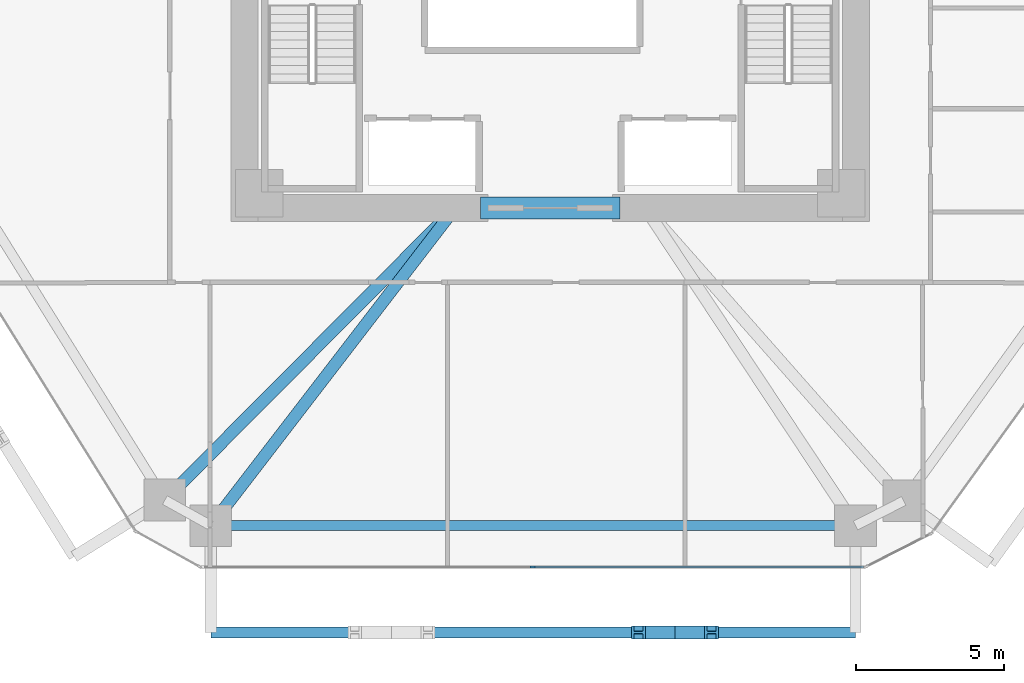
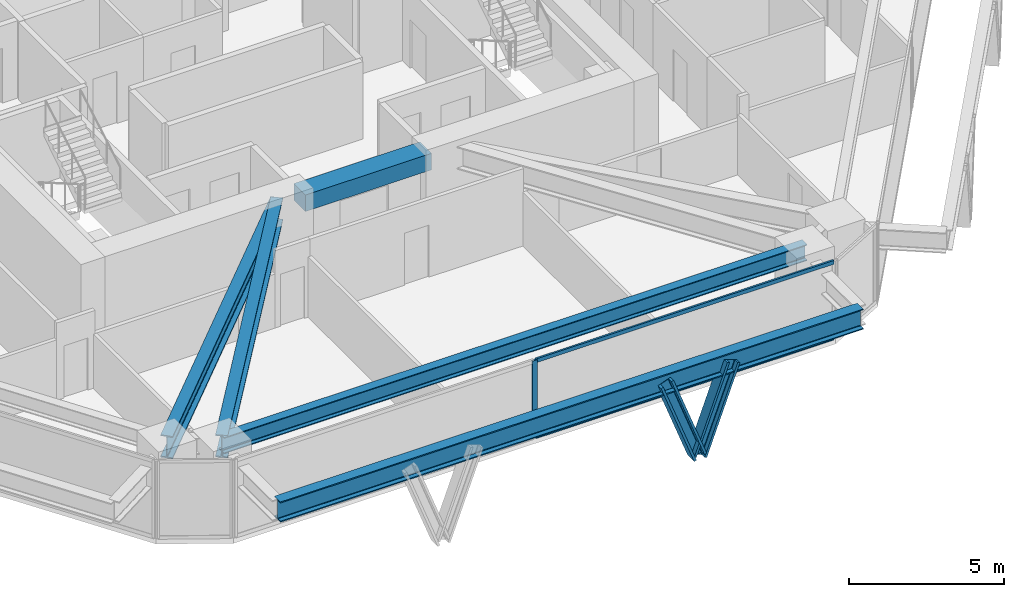
# One storey, part 3 of 15: 5 beams, 5 members, 1 element without a shape of its own.
"""IFC4 building model written with IfcOpenShell, lengths in metres."""

from ifc_helpers import new_model, si_unit, direction, frame, origin, origin_2d, place, context, subcontext, project, spatial, rectangle, i_section, extrude, source, transform, mapped, material, layer, layer_set, material_profile, profile_set, type_object, type_shapes, element, aggregate, save


model = new_model("IFC4")

# Units and contexts
model_context = context("Model", 3, precision=1e-05, world=origin(), true_north=direction((0.0, 1.0)))
body_context = subcontext(model_context, "Body", "Model", "MODEL_VIEW")
ifc_project = project(units=[si_unit("LENGTHUNIT", "METRE"), si_unit("AREAUNIT", "SQUARE_METRE"), si_unit("VOLUMEUNIT", "CUBIC_METRE"), si_unit("PLANEANGLEUNIT", "RADIAN"), si_unit("MASSUNIT", "GRAM", prefix="KILO")], contexts=[model_context])

# Site, building, storey
site_placement = place(None, origin())
site = spatial("IfcSite", under=ifc_project, at=site_placement, CompositionType="ELEMENT")
building_placement = place(site_placement, origin())
building = spatial("IfcBuilding", under=site, at=building_placement, Name="Durnholm Broadcast Tower", CompositionType="ELEMENT")
storey_placement = place(building_placement, frame((0.0, 0.0, 62.10009765625)))
storey = spatial("IfcBuildingStorey", under=building, at=storey_placement, Name="L15", CompositionType="ELEMENT", Elevation=62.10009765625)

# Beams
ifc_material_1 = material(Name="Concrete C70/85", Category="concrete")
ifc_material_profile_1 = material_profile(ifc_material_1, rectangle(XDim=0.75, YDim=0.64990234375, at=origin_2d()), Name="RC750X650")
ifc_profile_set_1 = profile_set([ifc_material_profile_1], Name="Concrete C70/85")
beam_type_1 = type_object("IfcBeamType", Name="BM-CB-RC650", PredefinedType="LINTEL", material=ifc_profile_set_1)
shared_shape_1 = source(origin(), body_context, "Body", "SweptSolid", [
    extrude(rectangle(XDim=0.75, YDim=0.64990234375, at=origin_2d()), origin(), (0.0, 0.0, 1.0), 4.7001953125),
])
type_shapes(beam_type_1, [shared_shape_1])
beam_1_placement = place(storey_placement, frame((-2.35009765625, -8.300048828125, 2.72998046875), z_axis=(1.0, 0.0, 0.0), x_axis=(0.0, 1.0, 0.0)))
element("IfcBeam", 1, at=beam_1_placement, inside=storey, type_object=beam_type_1, Name="L15 south core coupling lintel beam CB-S", PredefinedType="LINTEL", context=body_context, shape_type="MappedRepresentation", body=[
    mapped(shared_shape_1, transform((0.0, 0.0, 0.0), x_axis=(1.0, 0.0, 0.0), y_axis=(0.0, 1.0, 0.0), z_axis=(0.0, 0.0, 1.0), scale=1.0)),
])
ifc_material_2 = material(Name="Steel ASTM A992 Grade 50", Category="steel")
ifc_material_profile_2 = material_profile(ifc_material_2, i_section(OverallWidth=0.3291015625, OverallDepth=0.635009765625, WebThickness=0.017822265625, FlangeThickness=0.031005859375, FilletRadius=0.02783203125, at=origin_2d()), Name="W24X162")
ifc_profile_set_2 = profile_set([ifc_material_profile_2], Name="Steel ASTM A992 Grade 50")
beam_type_2 = type_object("IfcBeamType", Name="STL-SP-W24X162", PredefinedType="SPANDREL", material=ifc_profile_set_2)
shared_shape_2 = source(origin(), body_context, "Body", "SweptSolid", [
    extrude(i_section(OverallWidth=0.3291015625, OverallDepth=0.635009765625, WebThickness=0.017822265625, FlangeThickness=0.031005859375, FilletRadius=0.02783203125, at=origin_2d()), origin(), (0.0, 0.0, 1.0), 21.7138671875),
])
type_shapes(beam_type_2, [shared_shape_2])
beam_2_placement = place(storey_placement, frame((10.28271484375, -19.0, 2.727294921875), z_axis=(-1.0, 0.0, 0.0), x_axis=(0.0, -1.0, 0.0)))
element("IfcBeam", 2, at=beam_2_placement, inside=storey, type_object=beam_type_2, Name="L15 perimeter spandrel girder 11", PredefinedType="SPANDREL", context=body_context, shape_type="MappedRepresentation", body=[
    mapped(shared_shape_2, transform((0.0, 0.0, 0.0), x_axis=(1.0, 0.0, 0.0), y_axis=(0.0, 1.0, 0.0), z_axis=(0.0, 0.0, 1.0), scale=1.0)),
])
ifc_material_profile_3 = material_profile(ifc_material_2, i_section(OverallWidth=0.404052734375, OverallDepth=0.885009765625, WebThickness=0.0244140625, FlangeThickness=0.0439453125, FilletRadius=0.03564453125, at=origin_2d()), Name="W33X291")
ifc_profile_set_3 = profile_set([ifc_material_profile_3], Name="Steel ASTM A992 Grade 50")
beam_type_3 = type_object("IfcBeamType", Name="STL-GR-W33X291", PredefinedType="USERDEFINED", material=ifc_profile_set_3)
shared_shape_3 = source(origin(), body_context, "Body", "SweptSolid", [
    extrude(i_section(OverallWidth=0.404052734375, OverallDepth=0.885009765625, WebThickness=0.0244140625, FlangeThickness=0.0439453125, FilletRadius=0.03564453125, at=origin_2d()), origin(), (0.0, 0.0, 1.0), 13.874267578125),
])
beam_3_placement = place(storey_placement, frame((-3.199951171875, -8.300048828125, 2.6025390625), z_axis=(-0.705097917174, -0.709109954237, 0.0), x_axis=(0.709109954237, -0.705097917174, 0.0)))
element("IfcBeam", 3, at=beam_3_placement, inside=storey, type_object=beam_type_3, Name="L15 radial primary floor girder 01", ObjectType="GIRDER", PredefinedType="USERDEFINED", context=body_context, shape_type="MappedRepresentation", body=[
    mapped(shared_shape_3, transform((0.0, 0.0, 0.0), x_axis=(1.0, 0.0, 0.0), y_axis=(0.0, 1.0, 0.0), z_axis=(0.0, 0.0, 1.0), scale=1.0)),
])
shared_shape_4 = source(origin(), body_context, "Body", "SweptSolid", [
    extrude(i_section(OverallWidth=0.404052734375, OverallDepth=0.885009765625, WebThickness=0.0244140625, FlangeThickness=0.0439453125, FilletRadius=0.03564453125, at=origin_2d()), origin(), (0.0, 0.0, 1.0), 13.499755859375),
])
type_shapes(beam_type_3, [shared_shape_3, shared_shape_4])
beam_4_placement = place(storey_placement, frame((-3.199951171875, -8.300048828125, 2.6025390625), z_axis=(-0.609732610412, -0.79260718127, 0.0), x_axis=(0.79260718127, -0.609732610412, 0.0)))
element("IfcBeam", 4, at=beam_4_placement, inside=storey, type_object=beam_type_3, Name="L15 radial primary floor girder 12", ObjectType="GIRDER", PredefinedType="USERDEFINED", context=body_context, shape_type="MappedRepresentation", body=[
    mapped(shared_shape_4, transform((0.0, 0.0, 0.0), x_axis=(1.0, 0.0, 0.0), y_axis=(0.0, 1.0, 0.0), z_axis=(0.0, 0.0, 1.0), scale=1.0)),
])
ifc_material_profile_4 = material_profile(ifc_material_2, i_section(OverallWidth=0.385009765625, OverallDepth=0.802978515625, WebThickness=0.023681640625, FlangeThickness=0.0419921875, FilletRadius=0.032958984375, at=origin_2d()), Name="W30X261")
ifc_profile_set_4 = profile_set([ifc_material_profile_4], Name="Steel ASTM A992 Grade 50")
beam_type_4 = type_object("IfcBeamType", Name="BM-EXO-TIE", PredefinedType="USERDEFINED", material=ifc_profile_set_4)
shared_shape_5 = source(origin(), body_context, "Body", "SweptSolid", [
    extrude(i_section(OverallWidth=0.385009765625, OverallDepth=0.802978515625, WebThickness=0.023681640625, FlangeThickness=0.0419921875, FilletRadius=0.032958984375, at=origin_2d()), origin(), (0.0, 0.0, 1.0), 21.7138671875),
])
type_shapes(beam_type_4, [shared_shape_5])
beam_5_placement = place(storey_placement, frame((-11.43115234375, -22.60009765625, 2.30859375), z_axis=(1.0, 0.0, 0.0), x_axis=(0.0, 1.0, 0.0)))
element("IfcBeam", 5, at=beam_5_placement, inside=storey, type_object=beam_type_4, Name="L15 exoskeleton collector spandrel F1", PredefinedType="SPANDREL", context=body_context, shape_type="MappedRepresentation", body=[
    mapped(shared_shape_5, transform((0.0, 0.0, 0.0), x_axis=(1.0, 0.0, 0.0), y_axis=(0.0, 1.0, 0.0), z_axis=(0.0, 0.0, 1.0), scale=1.0)),
])

# Members
ifc_material_3 = material(Name="Steel ASTM A913 Grade 65", Category="steel")
ifc_material_profile_5 = material_profile(ifc_material_3, i_section(OverallWidth=0.43212890625, OverallDepth=0.497802734375, WebThickness=0.0556640625, FlangeThickness=0.0888671875, FilletRadius=0.030517578125, at=origin_2d()), Name="W14X500")
ifc_profile_set_5 = profile_set([ifc_material_profile_5], Name="Steel ASTM A913 Grade 65")
member_type_1 = type_object("IfcMemberType", Name="STL-DG-W14X500", PredefinedType="BRACE", material=ifc_profile_set_5)
shared_shape_6 = source(origin(), body_context, "Body", "SweptSolid", [
    extrude(i_section(OverallWidth=0.43212890625, OverallDepth=0.497802734375, WebThickness=0.0556640625, FlangeThickness=0.0888671875, FilletRadius=0.030517578125, at=origin_2d()), origin(), (0.0, 0.0, 1.0), 3.523193359375),
])
type_shapes(member_type_1, [shared_shape_6])
for number, where, z_axis, x_axis, name in (
    (6, (4.202880859375, -22.60009765625, -0.991455078125), (-0.350219588454, 0.0, 0.936667625075), (0.0, -1.0, 0.0), "L15 stand-off diagrid brace F1.D2.1"),
    (7, (4.202880859375, -22.60009765625, -0.991455078125), (0.350219588454, 0.0, 0.936667625075), (0.0, 1.0, 0.0), "L15 stand-off diagrid brace F1.D2.2"),
):
    element("IfcMember", number, at=place(storey_placement, frame(where, z_axis=z_axis, x_axis=x_axis)), inside=storey, type_object=member_type_1, Name=name, PredefinedType="BRACE", context=body_context, shape_type="MappedRepresentation", body=[
        mapped(shared_shape_6, transform((0.0, 0.0, 0.0), x_axis=(1.0, 0.0, 0.0), y_axis=(0.0, 1.0, 0.0), z_axis=(0.0, 0.0, 1.0), scale=1.0)),
    ])

# Curtain wall, members
ifc_material_4 = material(Name="Aluminium and Solar Control IGU", Category="aluminium")
ifc_layer = layer(ifc_material_4, 0.18994140625)
ifc_layer_set = layer_set([ifc_layer], Name="Aluminium and Solar Control IGU")
curtain_wall_type = type_object("IfcCurtainWallType", Name="CW-SYS-3", PredefinedType="NOTDEFINED", material=ifc_layer_set)
curtain_wall_placement = place(storey_placement, origin())
curtain_wall = element("IfcCurtainWall", 8, at=curtain_wall_placement, inside=storey, type_object=curtain_wall_type, Name="L15 curtain wall CW-Z12-VIS CW-L15-F10", PredefinedType="NOTDEFINED")
ifc_material_5 = material(Name="Aluminium 6063-T6", Category="aluminium")
ifc_material_profile_6 = material_profile(ifc_material_5, rectangle(XDim=0.070068359375, YDim=0.14990234375, at=origin_2d()), Name="CWT70X150")
ifc_profile_set_6 = profile_set([ifc_material_profile_6], Name="Aluminium 6063-T6")
member_type_2 = type_object("IfcMemberType", Name="CW-SYS-3-TRN", PredefinedType="USERDEFINED", material=ifc_profile_set_6)
shared_shape_7 = source(origin(), body_context, "Body", "SweptSolid", [
    extrude(rectangle(XDim=0.070068359375, YDim=0.14990234375, at=origin_2d()), origin(), (0.0, 0.0, 1.0), 11.10205078125),
])
type_shapes(member_type_2, [shared_shape_7])
member_1_placement = place(storey_placement, frame((10.55029296875, -20.39990234375, 0.034912109375), z_axis=(-1.0, 0.0, 0.0), x_axis=(0.0, -1.0, 0.0)))
member_1 = element("IfcMember", 9, at=member_1_placement, type_object=member_type_2, Name="CW-Z12-VIS transom 1.1", ObjectType="TRANSOM", PredefinedType="USERDEFINED", context=body_context, shape_type="MappedRepresentation", body=[
    mapped(shared_shape_7, transform((0.0, 0.0, 0.0), x_axis=(1.0, 0.0, 0.0), y_axis=(0.0, 1.0, 0.0), z_axis=(0.0, 0.0, 1.0), scale=1.0)),
])
member_2_placement = place(storey_placement, frame((10.55029296875, -20.39990234375, 3.02490234375), z_axis=(-1.0, 0.0, 0.0), x_axis=(0.0, -1.0, 0.0)))
member_2 = element("IfcMember", 10, at=member_2_placement, type_object=member_type_2, Name="CW-Z12-VIS transom 1.2", ObjectType="TRANSOM", PredefinedType="USERDEFINED", context=body_context, shape_type="MappedRepresentation", body=[
    mapped(shared_shape_7, transform((0.0, 0.0, 0.0), x_axis=(1.0, 0.0, 0.0), y_axis=(0.0, 1.0, 0.0), z_axis=(0.0, 0.0, 1.0), scale=1.0)),
])
ifc_material_profile_7 = material_profile(ifc_material_5, rectangle(XDim=0.070068359375, YDim=0.18994140625, at=origin_2d()), Name="CWM70X190")
ifc_profile_set_7 = profile_set([ifc_material_profile_7], Name="Aluminium 6063-T6")
member_type_3 = type_object("IfcMemberType", Name="CW-SYS-3-MUL", PredefinedType="MULLION", material=ifc_profile_set_7)
shared_shape_8 = source(origin(), body_context, "Body", "SweptSolid", [
    extrude(rectangle(XDim=0.070068359375, YDim=0.18994140625, at=origin_2d()), origin(), (0.0, 0.0, 1.0), 3.059814453125),
])
type_shapes(member_type_3, [shared_shape_8])
member_3_placement = place(storey_placement, frame((-0.5869140625, -20.39990234375, 0.0), z_axis=(0.0, 0.0, 1.0), x_axis=(0.0, -1.0, 0.0)))
member_3 = element("IfcMember", 11, at=member_3_placement, type_object=member_type_3, Name="CW-Z12-VIS mullion 2", PredefinedType="MULLION", context=body_context, shape_type="MappedRepresentation", body=[
    mapped(shared_shape_8, transform((0.0, 0.0, 0.0), x_axis=(1.0, 0.0, 0.0), y_axis=(0.0, 1.0, 0.0), z_axis=(0.0, 0.0, 1.0), scale=1.0)),
])
aggregate(curtain_wall, [member_3, member_1, member_2])

save(model, "model.ifc")
